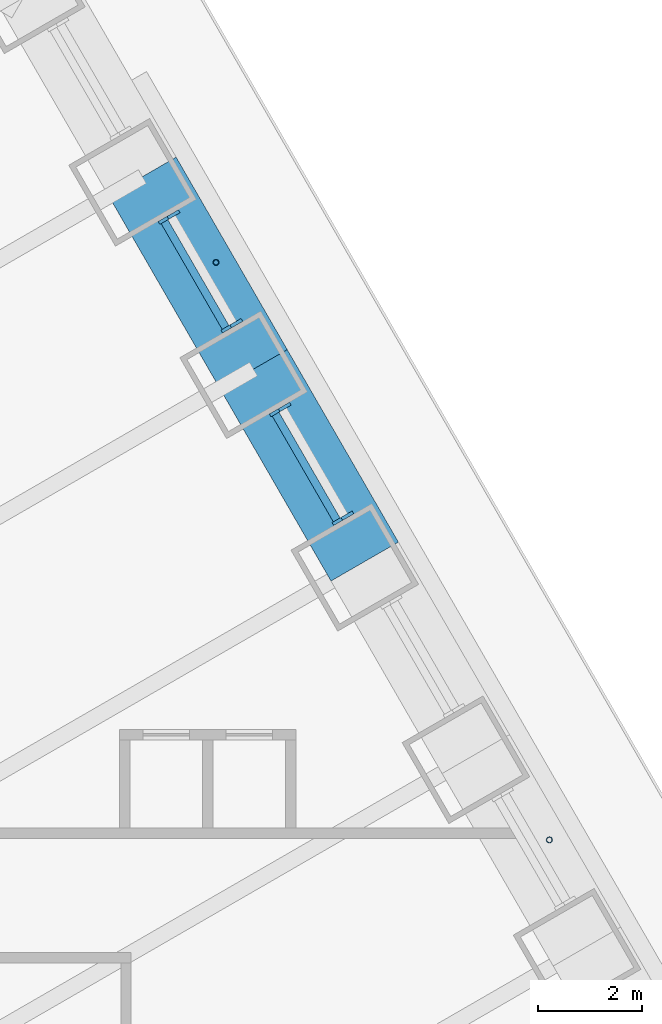
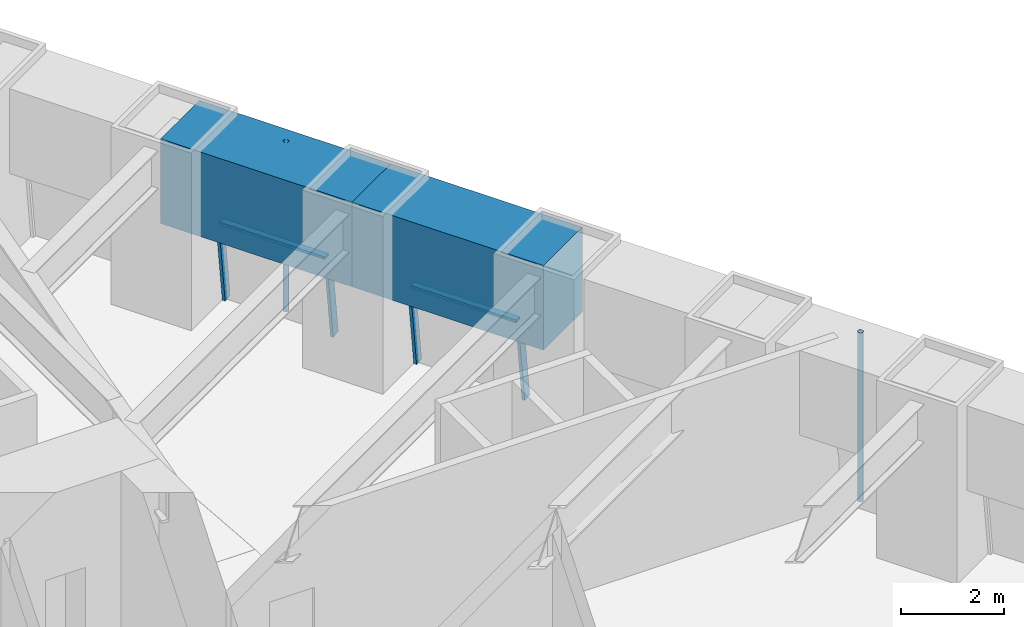
# One storey, part 10 of 18: 8 members, 2 beams, 2 elements without a shape of their own.
"""IFC4 building model written with IfcOpenShell, lengths in metres."""

from ifc_helpers import new_model, si_unit, direction, frame, origin, origin_2d, place, context, subcontext, project, spatial, rectangle, hollow_circle, extrude, material, material_profile, profile_set, type_object, element, aggregate, save


model = new_model("IFC4")

# Units and contexts
model_context = context("Model", 3, precision=1e-05, world=origin(), true_north=direction((0.0, 1.0)))
body_context = subcontext(model_context, "Body", "Model", "MODEL_VIEW")
ifc_project = project(units=[si_unit("LENGTHUNIT", "METRE"), si_unit("AREAUNIT", "SQUARE_METRE"), si_unit("VOLUMEUNIT", "CUBIC_METRE"), si_unit("PLANEANGLEUNIT", "RADIAN"), si_unit("MASSUNIT", "GRAM", prefix="KILO")], contexts=[model_context])

# Site, building, storey
site_placement = place(None, origin())
site = spatial("IfcSite", under=ifc_project, at=site_placement, CompositionType="ELEMENT")
building_placement = place(site_placement, origin())
building = spatial("IfcBuilding", under=site, at=building_placement, Name="Tarfa Lantern Tower", CompositionType="ELEMENT")
storey_placement = place(building_placement, frame((0.0, 0.0, 311.5)))
storey = spatial("IfcBuildingStorey", under=building, at=storey_placement, Name="L70", CompositionType="ELEMENT", Elevation=311.5)

# Curtain wall, members
ifc_material_1 = material(Name="Aluminium framed curtain wall", Category="aluminium")
curtain_wall_type = type_object("IfcCurtainWallType", Name="CW4 CANTED GLAZING EXECUTIVE ZONE 2000", PredefinedType="USERDEFINED", material=ifc_material_1)
curtain_wall_1_placement = place(storey_placement, origin())
curtain_wall_1 = element("IfcCurtainWall", 1, at=curtain_wall_1_placement, inside=storey, type_object=curtain_wall_type, Name="CW4 NE L70", ObjectType="CURTAIN WALL", PredefinedType="USERDEFINED")
ifc_material_2 = material(Name="Aluminium mullion", Category="aluminium")
ifc_material_profile_1 = material_profile(ifc_material_2, rectangle(XDim=0.06494140625, YDim=0.199951171875, at=origin_2d()), Name="AL MULLION 65x200")
ifc_profile_set_1 = profile_set([ifc_material_profile_1], Name="Aluminium mullion")
member_type_1 = type_object("IfcMemberType", Name="CWM1 MULLION 65x200", PredefinedType="MULLION", material=ifc_profile_set_1)
member_1_placement = place(storey_placement, frame((22.61328125, 14.132568359375, 0.0), z_axis=(-0.107439978116, -0.062017213975, 0.992275423596), x_axis=(0.499919672301, -0.866071776036, 0.0)))
member_1 = element("IfcMember", 2, at=member_1_placement, type_object=member_type_1, Name="CW4 mullion 1", PredefinedType="MULLION", context=body_context, shape_type="SweptSolid", body=[
    extrude(rectangle(XDim=0.06494140625, YDim=0.199951171875, at=origin_2d()), origin(), (0.0, 0.0, 1.0), 2.015625),
])
member_2_placement = place(storey_placement, frame((21.40478515625, 16.225830078125, 0.0), z_axis=(-0.107439978116, -0.062017213975, 0.992275423596), x_axis=(0.499919672301, -0.866071776036, 0.0)))
member_2 = element("IfcMember", 3, at=member_2_placement, type_object=member_type_1, Name="CW4 mullion 2", PredefinedType="MULLION", context=body_context, shape_type="SweptSolid", body=[
    extrude(rectangle(XDim=0.06494140625, YDim=0.199951171875, at=origin_2d()), origin(), (0.0, 0.0, 1.0), 2.015625),
])

curtain_wall_2_placement = place(storey_placement, origin())
curtain_wall_2 = element("IfcCurtainWall", 4, at=curtain_wall_2_placement, inside=storey, type_object=curtain_wall_type, Name="CW4 NE L70", ObjectType="CURTAIN WALL", PredefinedType="USERDEFINED")
member_3_placement = place(storey_placement, frame((20.472412109375, 17.8408203125, 0.0), z_axis=(-0.107439978116, -0.062017213975, 0.992275423596), x_axis=(0.499919672301, -0.866071776036, 0.0)))
member_3 = element("IfcMember", 5, at=member_3_placement, type_object=member_type_1, Name="CW4 mullion 1", PredefinedType="MULLION", context=body_context, shape_type="SweptSolid", body=[
    extrude(rectangle(XDim=0.06494140625, YDim=0.199951171875, at=origin_2d()), origin(), (0.0, 0.0, 1.0), 2.015625),
])
member_4_placement = place(storey_placement, frame((19.263916015625, 19.93408203125, 0.0), z_axis=(-0.107439978116, -0.062017213975, 0.992275423596), x_axis=(0.499919672301, -0.866071776036, 0.0)))
member_4 = element("IfcMember", 6, at=member_4_placement, type_object=member_type_1, Name="CW4 mullion 2", PredefinedType="MULLION", context=body_context, shape_type="SweptSolid", body=[
    extrude(rectangle(XDim=0.06494140625, YDim=0.199951171875, at=origin_2d()), origin(), (0.0, 0.0, 1.0), 2.015625),
])

# Member
ifc_material_3 = material(Name="Aluminium transom", Category="aluminium")
ifc_material_profile_2 = material_profile(ifc_material_3, rectangle(XDim=0.14990234375, YDim=0.06494140625, at=origin_2d()), Name="AL TRANSOM 150x65")
ifc_profile_set_2 = profile_set([ifc_material_profile_2], Name="Aluminium transom")
member_type_2 = type_object("IfcMemberType", Name="CWT1 TRANSOM 150x65", PredefinedType="USERDEFINED", material=ifc_profile_set_2)
member_5_placement = place(storey_placement, frame((22.384033203125, 14.037841796875, 1.967529296875), z_axis=(-0.500012978079, 0.866017910757, 0.0), x_axis=(-0.866017910757, -0.500012978079, 0.0)))
member_5 = element("IfcMember", 7, at=member_5_placement, type_object=member_type_2, Name="CW4 transom 1.2", ObjectType="TRANSOM", PredefinedType="USERDEFINED", context=body_context, shape_type="SweptSolid", body=[
    extrude(rectangle(XDim=0.14990234375, YDim=0.06494140625, at=origin_2d()), origin(), (0.0, 0.0, 1.0), 2.35205078125),
])

aggregate(curtain_wall_1, [member_1, member_2, member_5])

member_6_placement = place(storey_placement, frame((20.2431640625, 17.74609375, 1.967529296875), z_axis=(-0.500012978079, 0.866017910757, 0.0), x_axis=(-0.866017910757, -0.500012978079, 0.0)))
member_6 = element("IfcMember", 8, at=member_6_placement, type_object=member_type_2, Name="CW4 transom 1.2", ObjectType="TRANSOM", PredefinedType="USERDEFINED", context=body_context, shape_type="SweptSolid", body=[
    extrude(rectangle(XDim=0.14990234375, YDim=0.06494140625, at=origin_2d()), origin(), (0.0, 0.0, 1.0), 2.35205078125),
])

aggregate(curtain_wall_2, [member_3, member_4, member_6])

# Beams
ifc_material_4 = material(Name="Concrete C80/95", Category="concrete")
ifc_material_profile_3 = material_profile(ifc_material_4, rectangle(XDim=1.5, YDim=2.0, at=origin_2d()), Name="RC 1500x2000")
ifc_profile_set_3 = profile_set([ifc_material_profile_3], Name="Concrete C80/95")
beam_type = type_object("IfcBeamType", Name="RB3 RC 1500x2000", PredefinedType="BEAM", material=ifc_profile_set_3)
for number, where, z_axis, x_axis, name in (
    (9, (22.923583984375, 13.235107421875, 3.0), (-0.499984039138, 0.866034618596, 0.0), (-0.866034618596, -0.499984039138, 0.0), "Edge beam NE3"),
    (10, (20.78271484375, 16.943359375, 3.0), (-0.500026801138, 0.866009929587, 0.0), (-0.866009929587, -0.500026801138, 0.0), "Edge beam NE4"),
):
    element("IfcBeam", number, at=place(storey_placement, frame(where, z_axis=z_axis, x_axis=x_axis)), inside=storey, type_object=beam_type, Name=name, PredefinedType="BEAM", context=body_context, shape_type="SweptSolid", body=[
        extrude(rectangle(XDim=1.5, YDim=2.0, at=origin_2d()), origin(), (0.0, 0.0, 1.0), 4.281982421875),
    ])

# Members
ifc_material_5 = material(Name="Steel S355", Category="steel")
ifc_material_profile_4 = material_profile(ifc_material_5, hollow_circle(Radius=0.05712890625, WallThickness=0.00634765625, at=origin_2d()), Name="CHS114.3x6.3")
ifc_profile_set_4 = profile_set([ifc_material_profile_4], Name="Steel S355")
member_type_3 = type_object("IfcMemberType", Name="TR1 GREEN WALL TRELLIS CHS114.3x6.3", PredefinedType="USERDEFINED", material=ifc_profile_set_4)
for number, where, z_axis, x_axis, name in (
    (11, (26.481689453125, 7.87255859375, 0.0), (0.0, 0.0, 1.0), (1.0, 0.0, 0.0), "Trellis post NE 1"),
    (12, (20.05859375, 18.99755859375, 0.0), (0.0, 0.0, 1.0), (1.0, 0.0, 0.0), "Trellis post NE 2"),
):
    element("IfcMember", number, at=place(storey_placement, frame(where, z_axis=z_axis, x_axis=x_axis)), inside=storey, type_object=member_type_3, Name=name, ObjectType="TRELLIS", PredefinedType="USERDEFINED", context=body_context, shape_type="SweptSolid", body=[
        extrude(hollow_circle(Radius=0.05712890625, WallThickness=0.00634765625, at=origin_2d()), origin(), (0.0, 0.0, 1.0), 4.0),
    ])

save(model, "model.ifc")
